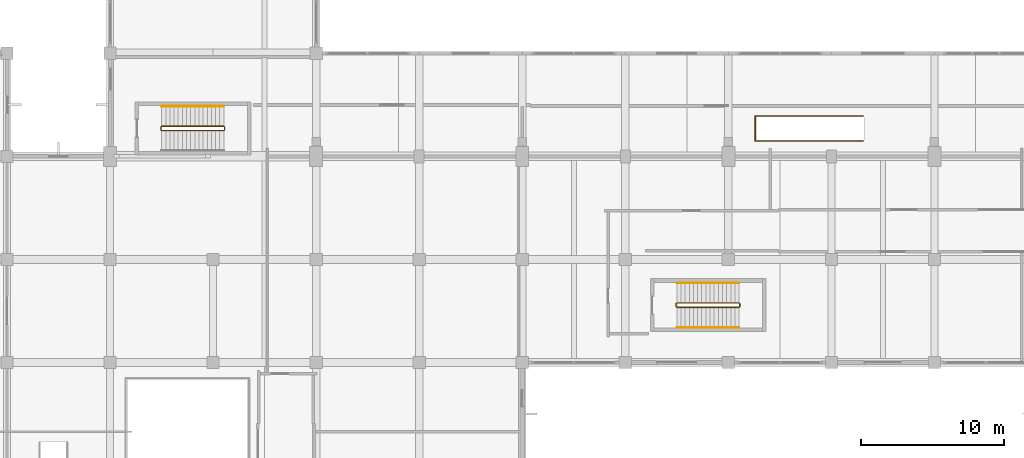
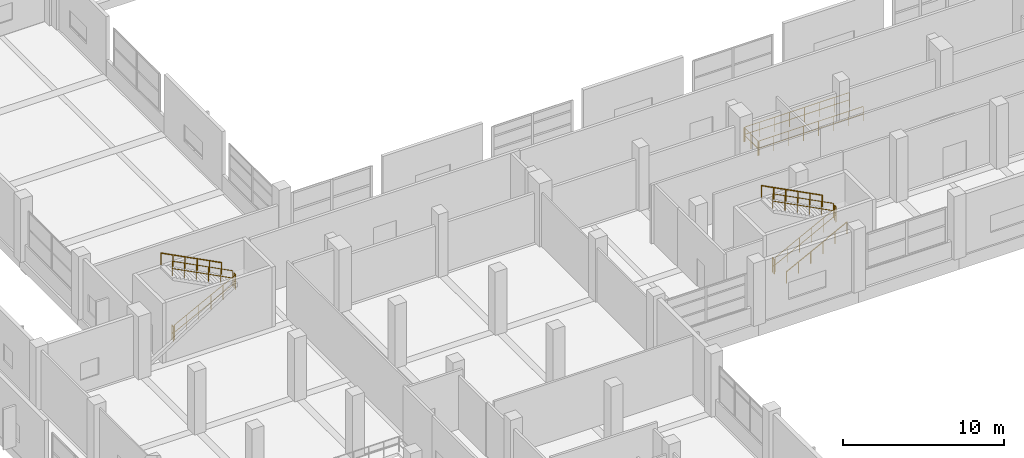
# One storey, part 176 of 181: 14 railings.
"""IFC4 building model written with IfcOpenShell, lengths in metres."""

from ifc_helpers import new_model, si_unit, direction, frame, origin, origin_2d, place, context, subcontext, project, spatial, circle, extrude, material, type_object, element, save


model = new_model("IFC4")

# Units and contexts
model_context = context("Model", 3, precision=1e-05, world=origin(), true_north=direction((0.0, 1.0)))
body_context = subcontext(model_context, "Body", "Model", "MODEL_VIEW")
ifc_project = project(units=[si_unit("LENGTHUNIT", "METRE"), si_unit("AREAUNIT", "SQUARE_METRE"), si_unit("VOLUMEUNIT", "CUBIC_METRE"), si_unit("PLANEANGLEUNIT", "RADIAN"), si_unit("MASSUNIT", "GRAM", prefix="KILO")], contexts=[model_context])

# Site, building, storey
site_placement = place(None, origin())
site = spatial("IfcSite", under=ifc_project, at=site_placement, CompositionType="ELEMENT")
building_placement = place(site_placement, origin())
building = spatial("IfcBuilding", under=site, at=building_placement, Name="Seraya Terrace Polytechnic", CompositionType="ELEMENT")
storey_placement = place(building_placement, frame((0.0, 0.0, 4.800048828125)))
storey = spatial("IfcBuildingStorey", under=building, at=storey_placement, Name="L01", CompositionType="ELEMENT", Elevation=4.800048828125)

# Railings
ifc_material = material(Name="Steel S355J2", Category="steel")
railing_type_1 = type_object("IfcRailingType", Name="GR-02", PredefinedType="GUARDRAIL", material=ifc_material)
railing_1_placement = place(storey_placement, frame((54.0, 68.64990234375, 0.14990234375)))
element("IfcRailing", 1, at=railing_1_placement, inside=storey, type_object=railing_type_1, Name="L01 ST-06 stair guard 1", PredefinedType="GUARDRAIL", context=body_context, shape_type="SweptSolid", body=[
    extrude(circle(Radius=0.02392578125, at=origin_2d()), frame((0.0, 0.0, 1.10595703125), z_axis=(0.888221851817, 0.0, 0.459414782038), x_axis=(0.0, 1.0, 0.0)), (0.0, 0.0, 1.0), 4.8974609375),
    extrude(circle(Radius=0.02392578125, at=origin_2d()), frame((0.0, 0.0, 0.550048828125), z_axis=(0.888221851817, 0.0, 0.459414782038), x_axis=(0.0, 1.0, 0.0)), (0.0, 0.0, 1.0), 4.8974609375),
    extrude(circle(Radius=0.02099609375, at=origin_2d()), origin(), (0.0, 0.0, 1.0), 1.081787109375),
    extrude(circle(Radius=0.02099609375, at=origin_2d()), frame((0.8701171875, 0.0, 0.449951171875)), (0.0, 0.0, 1.0), 1.081787109375),
    extrude(circle(Radius=0.02099609375, at=origin_2d()), frame((1.739990234375, 0.0, 0.89990234375)), (0.0, 0.0, 1.0), 1.081787109375),
    extrude(circle(Radius=0.02099609375, at=origin_2d()), frame((2.610107421875, 0.0, 1.35009765625)), (0.0, 0.0, 1.0), 1.081787109375),
    extrude(circle(Radius=0.02099609375, at=origin_2d()), frame((3.47998046875, 0.0, 1.800048828125)), (0.0, 0.0, 1.0), 1.081787109375),
    extrude(circle(Radius=0.02099609375, at=origin_2d()), frame((4.35009765625, 0.0, 2.25)), (0.0, 0.0, 1.0), 1.081787109375),
])
railing_2_placement = place(storey_placement, frame((58.39990234375, 68.699951171875, 2.39990234375)))
element("IfcRailing", 2, at=railing_2_placement, inside=storey, type_object=railing_type_1, Name="L01 ST-06 stair guard 2", PredefinedType="GUARDRAIL", context=body_context, shape_type="SweptSolid", body=[
    extrude(circle(Radius=0.02392578125, at=origin_2d()), frame((0.0, 0.0, 1.10595703125), z_axis=(0.0, 1.0, 0.0), x_axis=(-1.0, 0.0, 0.0)), (0.0, 0.0, 1.0), 0.199951171875),
    extrude(circle(Radius=0.02392578125, at=origin_2d()), frame((0.0, 0.0, 0.550048828125), z_axis=(0.0, 1.0, 0.0), x_axis=(-1.0, 0.0, 0.0)), (0.0, 0.0, 1.0), 0.199951171875),
    extrude(circle(Radius=0.02099609375, at=origin_2d()), origin(), (0.0, 0.0, 1.0), 1.081787109375),
    extrude(circle(Radius=0.02099609375, at=origin_2d()), frame((0.0, 0.199951171875, 0.0)), (0.0, 0.0, 1.0), 1.081787109375),
])
railing_3_placement = place(storey_placement, frame((58.35009765625, 68.949951171875, 2.550048828125)))
element("IfcRailing", 3, at=railing_3_placement, inside=storey, type_object=railing_type_1, Name="L01 ST-06 stair guard 3", PredefinedType="GUARDRAIL", context=body_context, shape_type="SweptSolid", body=[
    extrude(circle(Radius=0.02392578125, at=origin_2d()), frame((0.0, 0.0, 1.10595703125), z_axis=(-0.888221851817, 0.0, 0.459414782038), x_axis=(0.0, -1.0, 0.0)), (0.0, 0.0, 1.0), 4.8974609375),
    extrude(circle(Radius=0.02392578125, at=origin_2d()), frame((0.0, 0.0, 0.550048828125), z_axis=(-0.888221851817, 0.0, 0.459414782038), x_axis=(0.0, -1.0, 0.0)), (0.0, 0.0, 1.0), 4.8974609375),
    extrude(circle(Radius=0.02099609375, at=origin_2d()), origin(), (0.0, 0.0, 1.0), 1.081787109375),
    extrude(circle(Radius=0.02099609375, at=origin_2d()), frame((-0.8701171875, 0.0, 0.449951171875)), (0.0, 0.0, 1.0), 1.081787109375),
    extrude(circle(Radius=0.02099609375, at=origin_2d()), frame((-1.739990234375, 0.0, 0.89990234375)), (0.0, 0.0, 1.0), 1.081787109375),
    extrude(circle(Radius=0.02099609375, at=origin_2d()), frame((-2.610107421875, 0.0, 1.35009765625)), (0.0, 0.0, 1.0), 1.081787109375),
    extrude(circle(Radius=0.02099609375, at=origin_2d()), frame((-3.47998046875, 0.0, 1.800048828125)), (0.0, 0.0, 1.0), 1.081787109375),
    extrude(circle(Radius=0.02099609375, at=origin_2d()), frame((-4.35009765625, 0.0, 2.25)), (0.0, 0.0, 1.0), 1.081787109375),
])
railing_4_placement = place(storey_placement, frame((53.949951171875, 68.699951171875, 0.0)))
element("IfcRailing", 4, at=railing_4_placement, inside=storey, type_object=railing_type_1, Name="L01 ST-06 stair guard 4", PredefinedType="GUARDRAIL", context=body_context, shape_type="SweptSolid", body=[
    extrude(circle(Radius=0.02392578125, at=origin_2d()), frame((0.0, 0.0, 1.10595703125), z_axis=(0.0, 1.0, 0.0), x_axis=(-1.0, 0.0, 0.0)), (0.0, 0.0, 1.0), 0.199951171875),
    extrude(circle(Radius=0.02392578125, at=origin_2d()), frame((0.0, 0.0, 0.550048828125), z_axis=(0.0, 1.0, 0.0), x_axis=(-1.0, 0.0, 0.0)), (0.0, 0.0, 1.0), 0.199951171875),
    extrude(circle(Radius=0.02099609375, at=origin_2d()), origin(), (0.0, 0.0, 1.0), 1.081787109375),
    extrude(circle(Radius=0.02099609375, at=origin_2d()), frame((0.0, 0.199951171875, 0.0)), (0.0, 0.0, 1.0), 1.081787109375),
])
railing_5_placement = place(storey_placement, frame((18.0, 81.0, 0.14990234375)))
element("IfcRailing", 5, at=railing_5_placement, inside=storey, type_object=railing_type_1, Name="L01 ST-07 stair guard 1", PredefinedType="GUARDRAIL", context=body_context, shape_type="SweptSolid", body=[
    extrude(circle(Radius=0.02392578125, at=origin_2d()), frame((0.0, 0.0, 1.10595703125), z_axis=(0.888221851817, 0.0, 0.459414782038), x_axis=(0.0, 1.0, 0.0)), (0.0, 0.0, 1.0), 4.8974609375),
    extrude(circle(Radius=0.02392578125, at=origin_2d()), frame((0.0, 0.0, 0.550048828125), z_axis=(0.888221851817, 0.0, 0.459414782038), x_axis=(0.0, 1.0, 0.0)), (0.0, 0.0, 1.0), 4.8974609375),
    extrude(circle(Radius=0.02099609375, at=origin_2d()), origin(), (0.0, 0.0, 1.0), 1.081787109375),
    extrude(circle(Radius=0.02099609375, at=origin_2d()), frame((0.8701171875, 0.0, 0.449951171875)), (0.0, 0.0, 1.0), 1.081787109375),
    extrude(circle(Radius=0.02099609375, at=origin_2d()), frame((1.739990234375, 0.0, 0.89990234375)), (0.0, 0.0, 1.0), 1.081787109375),
    extrude(circle(Radius=0.02099609375, at=origin_2d()), frame((2.610107421875, 0.0, 1.35009765625)), (0.0, 0.0, 1.0), 1.081787109375),
    extrude(circle(Radius=0.02099609375, at=origin_2d()), frame((3.47998046875, 0.0, 1.800048828125)), (0.0, 0.0, 1.0), 1.081787109375),
    extrude(circle(Radius=0.02099609375, at=origin_2d()), frame((4.35009765625, 0.0, 2.25)), (0.0, 0.0, 1.0), 1.081787109375),
])
railing_6_placement = place(storey_placement, frame((22.39990234375, 81.050048828125, 2.39990234375)))
element("IfcRailing", 6, at=railing_6_placement, inside=storey, type_object=railing_type_1, Name="L01 ST-07 stair guard 2", PredefinedType="GUARDRAIL", context=body_context, shape_type="SweptSolid", body=[
    extrude(circle(Radius=0.02392578125, at=origin_2d()), frame((0.0, 0.0, 1.10595703125), z_axis=(0.0, 1.0, 0.0), x_axis=(-1.0, 0.0, 0.0)), (0.0, 0.0, 1.0), 0.199951171875),
    extrude(circle(Radius=0.02392578125, at=origin_2d()), frame((0.0, 0.0, 0.550048828125), z_axis=(0.0, 1.0, 0.0), x_axis=(-1.0, 0.0, 0.0)), (0.0, 0.0, 1.0), 0.199951171875),
    extrude(circle(Radius=0.02099609375, at=origin_2d()), origin(), (0.0, 0.0, 1.0), 1.081787109375),
    extrude(circle(Radius=0.02099609375, at=origin_2d()), frame((0.0, 0.199951171875, 0.0)), (0.0, 0.0, 1.0), 1.081787109375),
])
railing_7_placement = place(storey_placement, frame((22.35009765625, 81.300048828125, 2.550048828125)))
element("IfcRailing", 7, at=railing_7_placement, inside=storey, type_object=railing_type_1, Name="L01 ST-07 stair guard 3", PredefinedType="GUARDRAIL", context=body_context, shape_type="SweptSolid", body=[
    extrude(circle(Radius=0.02392578125, at=origin_2d()), frame((0.0, 0.0, 1.10595703125), z_axis=(-0.888221851817, 0.0, 0.459414782038), x_axis=(0.0, -1.0, 0.0)), (0.0, 0.0, 1.0), 4.8974609375),
    extrude(circle(Radius=0.02392578125, at=origin_2d()), frame((0.0, 0.0, 0.550048828125), z_axis=(-0.888221851817, 0.0, 0.459414782038), x_axis=(0.0, -1.0, 0.0)), (0.0, 0.0, 1.0), 4.8974609375),
    extrude(circle(Radius=0.02099609375, at=origin_2d()), origin(), (0.0, 0.0, 1.0), 1.081787109375),
    extrude(circle(Radius=0.02099609375, at=origin_2d()), frame((-0.8701171875, 0.0, 0.449951171875)), (0.0, 0.0, 1.0), 1.081787109375),
    extrude(circle(Radius=0.02099609375, at=origin_2d()), frame((-1.739990234375, 0.0, 0.89990234375)), (0.0, 0.0, 1.0), 1.081787109375),
    extrude(circle(Radius=0.02099609375, at=origin_2d()), frame((-2.610107421875, 0.0, 1.35009765625)), (0.0, 0.0, 1.0), 1.081787109375),
    extrude(circle(Radius=0.02099609375, at=origin_2d()), frame((-3.47998046875, 0.0, 1.800048828125)), (0.0, 0.0, 1.0), 1.081787109375),
    extrude(circle(Radius=0.02099609375, at=origin_2d()), frame((-4.35009765625, 0.0, 2.25)), (0.0, 0.0, 1.0), 1.081787109375),
])
railing_8_placement = place(storey_placement, frame((17.949951171875, 81.050048828125, 0.0)))
element("IfcRailing", 8, at=railing_8_placement, inside=storey, type_object=railing_type_1, Name="L01 ST-07 stair guard 4", PredefinedType="GUARDRAIL", context=body_context, shape_type="SweptSolid", body=[
    extrude(circle(Radius=0.02392578125, at=origin_2d()), frame((0.0, 0.0, 1.10595703125), z_axis=(0.0, 1.0, 0.0), x_axis=(-1.0, 0.0, 0.0)), (0.0, 0.0, 1.0), 0.199951171875),
    extrude(circle(Radius=0.02392578125, at=origin_2d()), frame((0.0, 0.0, 0.550048828125), z_axis=(0.0, 1.0, 0.0), x_axis=(-1.0, 0.0, 0.0)), (0.0, 0.0, 1.0), 0.199951171875),
    extrude(circle(Radius=0.02099609375, at=origin_2d()), origin(), (0.0, 0.0, 1.0), 1.081787109375),
    extrude(circle(Radius=0.02099609375, at=origin_2d()), frame((0.0, 0.199951171875, 0.0)), (0.0, 0.0, 1.0), 1.081787109375),
])
railing_9_placement = place(storey_placement, frame((59.47998046875, 80.280029296875, 0.0)))
element("IfcRailing", 9, at=railing_9_placement, inside=storey, type_object=railing_type_1, Name="ST-13 top opening guard L01.1", PredefinedType="GUARDRAIL", context=body_context, shape_type="SweptSolid", body=[
    extrude(circle(Radius=0.02392578125, at=origin_2d()), frame((0.0, 0.0, 1.10595703125), z_axis=(0.0, 1.0, 0.0), x_axis=(-1.0, 0.0, 0.0)), (0.0, 0.0, 1.0), 1.739990234375),
    extrude(circle(Radius=0.02392578125, at=origin_2d()), frame((0.0, 0.0, 0.550048828125), z_axis=(0.0, 1.0, 0.0), x_axis=(-1.0, 0.0, 0.0)), (0.0, 0.0, 1.0), 1.739990234375),
    extrude(circle(Radius=0.02099609375, at=origin_2d()), origin(), (0.0, 0.0, 1.0), 1.081787109375),
    extrude(circle(Radius=0.02099609375, at=origin_2d()), frame((0.0, 0.8701171875, 0.0)), (0.0, 0.0, 1.0), 1.081787109375),
    extrude(circle(Radius=0.02099609375, at=origin_2d()), frame((0.0, 1.739990234375, 0.0)), (0.0, 0.0, 1.0), 1.081787109375),
])
for number, where, name in (
    (10, (59.5400390625, 80.280029296875, 0.0), "ST-13 top opening guard L01.2"),
    (11, (59.5400390625, 82.02001953125, 0.0), "ST-13 top opening guard L01.3"),
):
    element("IfcRailing", number, at=place(storey_placement, frame(where)), inside=storey, type_object=railing_type_1, Name=name, PredefinedType="GUARDRAIL", context=body_context, shape_type="SweptSolid", body=[
        extrude(circle(Radius=0.02392578125, at=origin_2d()), frame((0.0, 0.0, 1.10595703125), z_axis=(1.0, 0.0, 0.0), x_axis=(0.0, 1.0, 0.0)), (0.0, 0.0, 1.0), 7.47998046875),
        extrude(circle(Radius=0.02392578125, at=origin_2d()), frame((0.0, 0.0, 0.550048828125), z_axis=(1.0, 0.0, 0.0), x_axis=(0.0, 1.0, 0.0)), (0.0, 0.0, 1.0), 7.47998046875),
        extrude(circle(Radius=0.02099609375, at=origin_2d()), origin(), (0.0, 0.0, 1.0), 1.081787109375),
        extrude(circle(Radius=0.02099609375, at=origin_2d()), frame((1.068603515625, 0.0, 0.0)), (0.0, 0.0, 1.0), 1.081787109375),
        extrude(circle(Radius=0.02099609375, at=origin_2d()), frame((2.13720703125, 0.0, 0.0)), (0.0, 0.0, 1.0), 1.081787109375),
        extrude(circle(Radius=0.02099609375, at=origin_2d()), frame((3.205810546875, 0.0, 0.0)), (0.0, 0.0, 1.0), 1.081787109375),
        extrude(circle(Radius=0.02099609375, at=origin_2d()), frame((4.274169921875, 0.0, 0.0)), (0.0, 0.0, 1.0), 1.081787109375),
        extrude(circle(Radius=0.02099609375, at=origin_2d()), frame((5.3427734375, 0.0, 0.0)), (0.0, 0.0, 1.0), 1.081787109375),
        extrude(circle(Radius=0.02099609375, at=origin_2d()), frame((6.411376953125, 0.0, 0.0)), (0.0, 0.0, 1.0), 1.081787109375),
        extrude(circle(Radius=0.02099609375, at=origin_2d()), frame((7.47998046875, 0.0, 0.0)), (0.0, 0.0, 1.0), 1.081787109375),
    ])
railing_type_2 = type_object("IfcRailingType", Name="HR-01", PredefinedType="HANDRAIL", material=ifc_material)
railing_10_placement = place(storey_placement, frame((54.0, 67.25, 0.14990234375)))
element("IfcRailing", 12, at=railing_10_placement, inside=storey, type_object=railing_type_2, Name="L01 ST-06 stair handrail 1", PredefinedType="HANDRAIL", context=body_context, shape_type="SweptSolid", body=[
    extrude(circle(Radius=0.02392578125, at=origin_2d()), frame((0.0, 0.0, 0.8759765625), z_axis=(0.888221851817, 0.0, 0.459414782038), x_axis=(0.0, 1.0, 0.0)), (0.0, 0.0, 1.0), 4.8974609375),
    extrude(circle(Radius=0.02099609375, at=origin_2d()), origin(), (0.0, 0.0, 1.0), 0.851806640625),
    extrude(circle(Radius=0.02099609375, at=origin_2d()), frame((0.8701171875, 0.0, 0.449951171875)), (0.0, 0.0, 1.0), 0.851806640625),
    extrude(circle(Radius=0.02099609375, at=origin_2d()), frame((1.739990234375, 0.0, 0.89990234375)), (0.0, 0.0, 1.0), 0.851806640625),
    extrude(circle(Radius=0.02099609375, at=origin_2d()), frame((2.610107421875, 0.0, 1.35009765625)), (0.0, 0.0, 1.0), 0.851806640625),
    extrude(circle(Radius=0.02099609375, at=origin_2d()), frame((3.47998046875, 0.0, 1.800048828125)), (0.0, 0.0, 1.0), 0.851806640625),
    extrude(circle(Radius=0.02099609375, at=origin_2d()), frame((4.35009765625, 0.0, 2.25)), (0.0, 0.0, 1.0), 0.851806640625),
])
for number, where, name in (
    (13, (58.35009765625, 70.35009765625, 2.550048828125), "L01 ST-06 stair handrail 2"),
    (14, (22.35009765625, 82.699951171875, 2.550048828125), "L01 ST-07 stair handrail 2"),
):
    element("IfcRailing", number, at=place(storey_placement, frame(where)), inside=storey, type_object=railing_type_2, Name=name, PredefinedType="HANDRAIL", context=body_context, shape_type="SweptSolid", body=[
        extrude(circle(Radius=0.02392578125, at=origin_2d()), frame((0.0, 0.0, 0.8759765625), z_axis=(-0.888221851817, 0.0, 0.459414782038), x_axis=(0.0, -1.0, 0.0)), (0.0, 0.0, 1.0), 4.8974609375),
        extrude(circle(Radius=0.02099609375, at=origin_2d()), origin(), (0.0, 0.0, 1.0), 0.851806640625),
        extrude(circle(Radius=0.02099609375, at=origin_2d()), frame((-0.8701171875, 0.0, 0.449951171875)), (0.0, 0.0, 1.0), 0.851806640625),
        extrude(circle(Radius=0.02099609375, at=origin_2d()), frame((-1.739990234375, 0.0, 0.89990234375)), (0.0, 0.0, 1.0), 0.851806640625),
        extrude(circle(Radius=0.02099609375, at=origin_2d()), frame((-2.610107421875, 0.0, 1.35009765625)), (0.0, 0.0, 1.0), 0.851806640625),
        extrude(circle(Radius=0.02099609375, at=origin_2d()), frame((-3.47998046875, 0.0, 1.800048828125)), (0.0, 0.0, 1.0), 0.851806640625),
        extrude(circle(Radius=0.02099609375, at=origin_2d()), frame((-4.35009765625, 0.0, 2.25)), (0.0, 0.0, 1.0), 0.851806640625),
    ])

save(model, "model.ifc")
